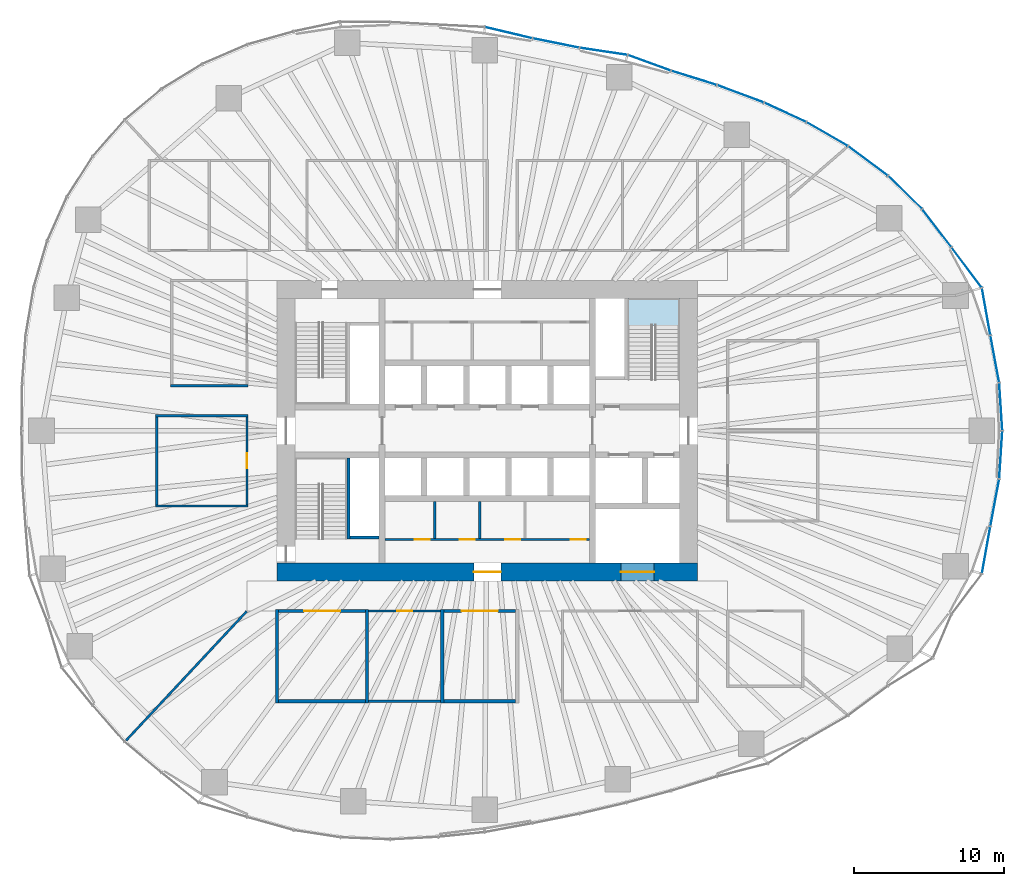
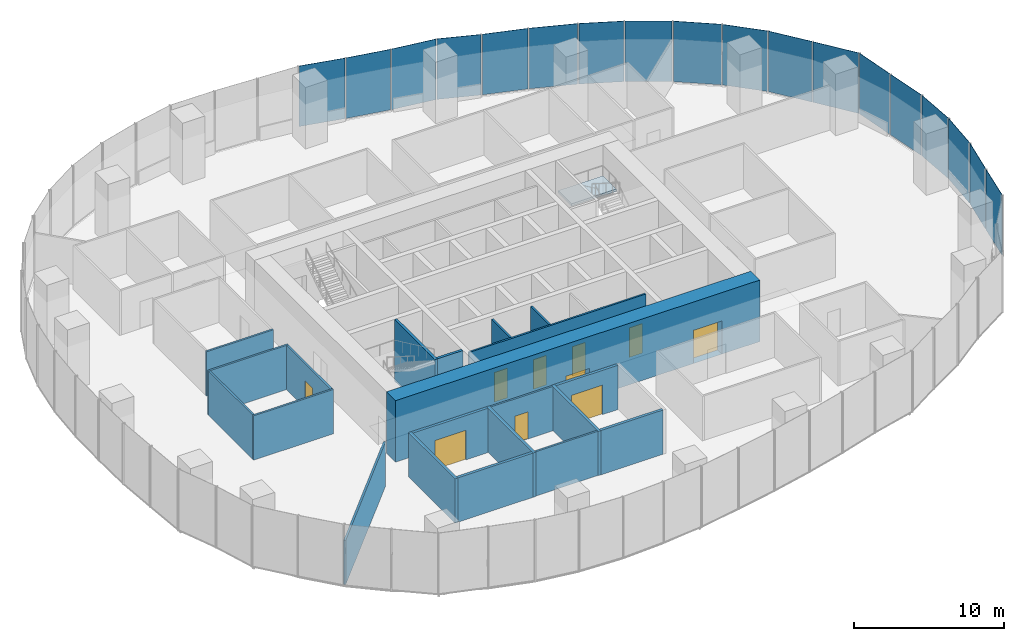
# One storey, part 9 of 19: 21 walls, 18 plates, 10 doors, 1 slab, 10 openings, 7 elements without a shape of their own.
"""IFC4 building model written with IfcOpenShell, lengths in metres."""

from ifc_helpers import new_model, si_unit, direction, frame, frame_2d, origin, origin_2d, place, context, subcontext, project, spatial, polyline, rectangle, outline, extrude, material, layer, layer_set, type_object, element, fill, aggregate, save


model = new_model("IFC4")

# Units and contexts
model_context = context("Model", 3, precision=1e-05, world=origin(), true_north=direction((0.0, 1.0)))
body_context = subcontext(model_context, "Body", "Model", "MODEL_VIEW")
ifc_project = project(units=[si_unit("LENGTHUNIT", "METRE"), si_unit("AREAUNIT", "SQUARE_METRE"), si_unit("VOLUMEUNIT", "CUBIC_METRE"), si_unit("PLANEANGLEUNIT", "RADIAN"), si_unit("MASSUNIT", "GRAM", prefix="KILO")], contexts=[model_context])

# Site, building, storey
site_placement = place(None, origin())
site = spatial("IfcSite", under=ifc_project, at=site_placement, CompositionType="ELEMENT")
building_placement = place(site_placement, origin())
building = spatial("IfcBuilding", under=site, at=building_placement, Name="Ghaith Harvest Tower", CompositionType="ELEMENT")
storey_placement = place(building_placement, frame((0.0, 0.0, 75.0)))
storey = spatial("IfcBuildingStorey", under=building, at=storey_placement, Name="L15", CompositionType="ELEMENT", Elevation=75.0)

# Curtain wall, plates
ifc_material_1 = material(Name="Black anodised aluminium and fritted glass", Category="aluminium")
curtain_wall_type = type_object("IfcCurtainWallType", Name="CW-F CURTAIN WALL", PredefinedType="NOTDEFINED", material=ifc_material_1)
curtain_wall_1_placement = place(storey_placement, origin())
curtain_wall_1 = element("IfcCurtainWall", 1, at=curtain_wall_1_placement, inside=storey, type_object=curtain_wall_type, Name="Curtain wall CW-F bay 01 L15", PredefinedType="NOTDEFINED")
ifc_material_2 = material(Name="Glass, high-transmission fritted double glazed unit", Category="glass")
ifc_layer_1 = layer(ifc_material_2, 0.028076171875)
ifc_layer_set_1 = layer_set([ifc_layer_1], Name="CW-F VISION PANEL")
plate_type = type_object("IfcPlateType", Name="CW-F VISION PANEL", PredefinedType="CURTAIN_PANEL", material=ifc_layer_set_1)
plate_1_placement = place(storey_placement, frame((34.181396484375, 1.602783203125, 0.080078125), z_axis=(0.0, 0.0, 1.0), x_axis=(-0.064445645786, 0.997921218704, 0.0)))
plate_1 = element("IfcPlate", 2, at=plate_1_placement, type_object=plate_type, Name="CW-F panel 1 bay 01 L15", PredefinedType="CURTAIN_PANEL", context=body_context, shape_type="SweptSolid", body=[
    extrude(rectangle(XDim=3.132080078125, YDim=0.028076171875, at=origin_2d()), origin(), (0.0, 0.0, 1.0), 4.919921875),
])
plate_2_placement = place(storey_placement, frame((33.78369140625, 4.78076171875, 0.080078125), z_axis=(0.0, 0.0, 1.0), x_axis=(-0.183569249502, 0.983006780565, 0.0)))
plate_2 = element("IfcPlate", 3, at=plate_2_placement, type_object=plate_type, Name="CW-F panel 2 bay 01 L15", PredefinedType="CURTAIN_PANEL", context=body_context, shape_type="SweptSolid", body=[
    extrude(rectangle(XDim=3.12548828125, YDim=0.028076171875, at=origin_2d()), origin(), (0.0, 0.0, 1.0), 4.919921875),
])
plate_3_placement = place(storey_placement, frame((33.20654296875, 7.93603515625, 0.080078125), z_axis=(0.0, 0.0, 1.0), x_axis=(-0.176319663586, 0.984332960046, 0.0)))
plate_3 = element("IfcPlate", 4, at=plate_3_placement, type_object=plate_type, Name="CW-F panel 3 bay 01 L15", PredefinedType="CURTAIN_PANEL", context=body_context, shape_type="SweptSolid", body=[
    extrude(rectangle(XDim=3.129638671875, YDim=0.028076171875, at=origin_2d()), origin(), (0.0, 0.0, 1.0), 4.919921875),
])
aggregate(curtain_wall_1, [plate_1, plate_2, plate_3])

curtain_wall_2_placement = place(storey_placement, origin())
curtain_wall_2 = element("IfcCurtainWall", 5, at=curtain_wall_2_placement, inside=storey, type_object=curtain_wall_type, Name="Curtain wall CW-F bay 02 L15", PredefinedType="NOTDEFINED")
plate_4_placement = place(storey_placement, frame((31.91015625, 10.865234375, 0.080078125), z_axis=(0.0, 0.0, 1.0), x_axis=(-0.600454091192, 0.799659230154, 0.0)))
plate_4 = element("IfcPlate", 6, at=plate_4_placement, type_object=plate_type, Name="CW-F panel 1 bay 02 L15", PredefinedType="CURTAIN_PANEL", context=body_context, shape_type="SweptSolid", body=[
    extrude(rectangle(XDim=3.295654296875, YDim=0.028076171875, at=origin_2d()), origin(), (0.0, 0.0, 1.0), 4.919921875),
])
plate_5_placement = place(storey_placement, frame((29.921875, 13.4892578125, 0.080078125), z_axis=(0.0, 0.0, 1.0), x_axis=(-0.607611877494, 0.794234100457, 0.0)))
plate_5 = element("IfcPlate", 7, at=plate_5_placement, type_object=plate_type, Name="CW-F panel 2 bay 02 L15", PredefinedType="CURTAIN_PANEL", context=body_context, shape_type="SweptSolid", body=[
    extrude(rectangle(XDim=3.128662109375, YDim=0.028076171875, at=origin_2d()), origin(), (0.0, 0.0, 1.0), 4.919921875),
])
plate_6_placement = place(storey_placement, frame((27.810546875, 15.869384765625, 0.080078125), z_axis=(0.0, 0.0, 1.0), x_axis=(-0.716691335472, 0.69739051446, 0.0)))
plate_6 = element("IfcPlate", 8, at=plate_6_placement, type_object=plate_type, Name="CW-F panel 3 bay 02 L15", PredefinedType="CURTAIN_PANEL", context=body_context, shape_type="SweptSolid", body=[
    extrude(rectangle(XDim=3.092041015625, YDim=0.028076171875, at=origin_2d()), origin(), (0.0, 0.0, 1.0), 4.919921875),
])
aggregate(curtain_wall_2, [plate_4, plate_5, plate_6])

curtain_wall_3_placement = place(storey_placement, origin())
curtain_wall_3 = element("IfcCurtainWall", 9, at=curtain_wall_3_placement, inside=storey, type_object=curtain_wall_type, Name="Curtain wall CW-F bay 03 L15", PredefinedType="NOTDEFINED")
plate_7_placement = place(storey_placement, frame((25.34619140625, 17.96142578125, 0.080078125), z_axis=(0.0, 0.0, 1.0), x_axis=(-0.802866788578, 0.596158468697, 0.0)))
plate_7 = element("IfcPlate", 10, at=plate_7_placement, type_object=plate_type, Name="CW-F panel 1 bay 03 L15", PredefinedType="CURTAIN_PANEL", context=body_context, shape_type="SweptSolid", body=[
    extrude(rectangle(XDim=3.2275390625, YDim=0.028076171875, at=origin_2d()), origin(), (0.0, 0.0, 1.0), 4.919921875),
])
plate_8_placement = place(storey_placement, frame((22.626953125, 19.750244140625, 0.080078125), z_axis=(0.0, 0.0, 1.0), x_axis=(-0.866159208358, 0.499768172033, 0.0)))
plate_8 = element("IfcPlate", 11, at=plate_8_placement, type_object=plate_type, Name="CW-F panel 2 bay 03 L15", PredefinedType="CURTAIN_PANEL", context=body_context, shape_type="SweptSolid", body=[
    extrude(rectangle(XDim=3.1328125, YDim=0.028076171875, at=origin_2d()), origin(), (0.0, 0.0, 1.0), 4.919921875),
])
plate_9_placement = place(storey_placement, frame((19.8291015625, 21.19970703125, 0.080078125), z_axis=(0.0, 0.0, 1.0), x_axis=(-0.908529586897, 0.417820523351, 0.0)))
plate_9 = element("IfcPlate", 12, at=plate_9_placement, type_object=plate_type, Name="CW-F panel 3 bay 03 L15", PredefinedType="CURTAIN_PANEL", context=body_context, shape_type="SweptSolid", body=[
    extrude(rectangle(XDim=3.01611328125, YDim=0.028076171875, at=origin_2d()), origin(), (0.0, 0.0, 1.0), 4.919921875),
])
aggregate(curtain_wall_3, [plate_7, plate_8, plate_9])

curtain_wall_4_placement = place(storey_placement, origin())
curtain_wall_4 = element("IfcCurtainWall", 13, at=curtain_wall_4_placement, inside=storey, type_object=curtain_wall_type, Name="Curtain wall CW-F bay 04 L15", PredefinedType="NOTDEFINED")
plate_10_placement = place(storey_placement, frame((16.85498046875, 22.431396484375, 0.080078125), z_axis=(0.0, 0.0, 1.0), x_axis=(-0.936926487964, 0.349526474178, 0.0)))
plate_10 = element("IfcPlate", 14, at=plate_10_placement, type_object=plate_type, Name="CW-F panel 1 bay 04 L15", PredefinedType="CURTAIN_PANEL", context=body_context, shape_type="SweptSolid", body=[
    extrude(rectangle(XDim=3.26611328125, YDim=0.028076171875, at=origin_2d()), origin(), (0.0, 0.0, 1.0), 4.919921875),
])
plate_11_placement = place(storey_placement, frame((13.760986328125, 23.490234375, 0.080078125), z_axis=(0.0, 0.0, 1.0), x_axis=(-0.954988265421, 0.296643578911, 0.0)))
plate_11 = element("IfcPlate", 15, at=plate_11_placement, type_object=plate_type, Name="CW-F panel 2 bay 04 L15", PredefinedType="CURTAIN_PANEL", context=body_context, shape_type="SweptSolid", body=[
    extrude(rectangle(XDim=3.1171875, YDim=0.028076171875, at=origin_2d()), origin(), (0.0, 0.0, 1.0), 4.919921875),
])
plate_12_placement = place(storey_placement, frame((10.793212890625, 24.490234375, 0.080078125), z_axis=(0.0, 0.0, 1.0), x_axis=(-0.939438435482, 0.342717705902, 0.0)))
plate_12 = element("IfcPlate", 16, at=plate_12_placement, type_object=plate_type, Name="CW-F panel 3 bay 04 L15", PredefinedType="CURTAIN_PANEL", context=body_context, shape_type="SweptSolid", body=[
    extrude(rectangle(XDim=2.98828125, YDim=0.028076171875, at=origin_2d()), origin(), (0.0, 0.0, 1.0), 4.919921875),
])
aggregate(curtain_wall_4, [plate_10, plate_11, plate_12])

curtain_wall_5_placement = place(storey_placement, origin())
curtain_wall_5 = element("IfcCurtainWall", 17, at=curtain_wall_5_placement, inside=storey, type_object=curtain_wall_type, Name="Curtain wall CW-F bay 05 L15", PredefinedType="NOTDEFINED")
plate_13_placement = place(storey_placement, frame((7.744384765625, 25.255615234375, 0.080078125), z_axis=(0.0, 0.0, 1.0), x_axis=(-0.989074249382, 0.147418211935, 0.0)))
plate_13 = element("IfcPlate", 18, at=plate_13_placement, type_object=plate_type, Name="CW-F panel 1 bay 05 L15", PredefinedType="CURTAIN_PANEL", context=body_context, shape_type="SweptSolid", body=[
    extrude(rectangle(XDim=3.17041015625, YDim=0.028076171875, at=origin_2d()), origin(), (0.0, 0.0, 1.0), 4.919921875),
])
plate_14_placement = place(storey_placement, frame((4.5732421875, 25.809326171875, 0.080078125), z_axis=(0.0, 0.0, 1.0), x_axis=(-0.980432348069, 0.196856320344, 0.0)))
plate_14 = element("IfcPlate", 19, at=plate_14_placement, type_object=plate_type, Name="CW-F panel 2 bay 05 L15", PredefinedType="CURTAIN_PANEL", context=body_context, shape_type="SweptSolid", body=[
    extrude(rectangle(XDim=3.1103515625, YDim=0.028076171875, at=origin_2d()), origin(), (0.0, 0.0, 1.0), 4.919921875),
])
plate_15_placement = place(storey_placement, frame((1.41259765625, 26.500244140625, 0.080078125), z_axis=(0.0, 0.0, 1.0), x_axis=(-0.97324595378, 0.229765779545, 0.0)))
plate_15 = element("IfcPlate", 20, at=plate_15_placement, type_object=plate_type, Name="CW-F panel 3 bay 05 L15", PredefinedType="CURTAIN_PANEL", context=body_context, shape_type="SweptSolid", body=[
    extrude(rectangle(XDim=3.200927734375, YDim=0.028076171875, at=origin_2d()), origin(), (0.0, 0.0, 1.0), 4.919921875),
])
aggregate(curtain_wall_5, [plate_13, plate_14, plate_15])

curtain_wall_6_placement = place(storey_placement, origin())
curtain_wall_6 = element("IfcCurtainWall", 21, at=curtain_wall_6_placement, inside=storey, type_object=curtain_wall_type, Name="Curtain wall CW-F bay 20 L15", PredefinedType="NOTDEFINED")
plate_16_placement = place(storey_placement, frame((33.20654296875, -7.93603515625, 0.080078125), z_axis=(0.0, 0.0, 1.0), x_axis=(0.176319663878, 0.984332959994, 0.0)))
plate_16 = element("IfcPlate", 22, at=plate_16_placement, type_object=plate_type, Name="CW-F panel 1 bay 20 L15", PredefinedType="CURTAIN_PANEL", context=body_context, shape_type="SweptSolid", body=[
    extrude(rectangle(XDim=3.129638671875, YDim=0.028076171875, at=origin_2d()), origin(), (0.0, 0.0, 1.0), 4.919921875),
])
plate_17_placement = place(storey_placement, frame((33.78369140625, -4.78076171875, 0.080078125), z_axis=(0.0, 0.0, 1.0), x_axis=(0.183569249777, 0.983006780514, 0.0)))
plate_17 = element("IfcPlate", 23, at=plate_17_placement, type_object=plate_type, Name="CW-F panel 2 bay 20 L15", PredefinedType="CURTAIN_PANEL", context=body_context, shape_type="SweptSolid", body=[
    extrude(rectangle(XDim=3.12548828125, YDim=0.028076171875, at=origin_2d()), origin(), (0.0, 0.0, 1.0), 4.919921875),
])
plate_18_placement = place(storey_placement, frame((34.181396484375, -1.602783203125, 0.080078125), z_axis=(0.0, 0.0, 1.0), x_axis=(0.064445645891, 0.997921218697, 0.0)))
plate_18 = element("IfcPlate", 24, at=plate_18_placement, type_object=plate_type, Name="CW-F panel 3 bay 20 L15", PredefinedType="CURTAIN_PANEL", context=body_context, shape_type="SweptSolid", body=[
    extrude(rectangle(XDim=3.132080078125, YDim=0.028076171875, at=origin_2d()), origin(), (0.0, 0.0, 1.0), 4.919921875),
])
aggregate(curtain_wall_6, [plate_16, plate_17, plate_18])

# Stair, slab
ifc_material_3 = material(Name="Concrete C40/50, precast", Category="concrete")
stair_type = type_object("IfcStairType", Name="CORE STAIR 28R", PredefinedType="HALF_TURN_STAIR", material=ifc_material_3)
stair_placement = place(storey_placement, origin())
stair = element("IfcStair", 25, at=stair_placement, inside=storey, type_object=stair_type, Name="Stair ST2 L15", PredefinedType="HALF_TURN_STAIR")
ifc_material_4 = material(Name="Concrete C40/50, precast", Category="concrete")
ifc_layer_2 = layer(ifc_material_4, 0.179931640625)
ifc_layer_set_2 = layer_set([ifc_layer_2], Name="STAIR LANDING 180")
slab_type = type_object("IfcSlabType", Name="STAIR LANDING 180", PredefinedType="LANDING", material=ifc_layer_set_2)
slab_placement = place(storey_placement, frame((0.0, 0.0, 2.320068359375)))
slab = element("IfcSlab", 26, at=slab_placement, type_object=slab_type, Name="ST2 landing 1", PredefinedType="LANDING", context=body_context, shape_type="SweptSolid", body=[
    extrude(outline(polyline([(12.800048828125, 7.02001953125), (12.800048828125, 8.800048828125), (9.35009765625, 8.800048828125), (9.35009765625, 7.02001953125), (12.800048828125, 7.02001953125)])), origin(), (0.0, 0.0, 1.0), 0.179931640625),
])
aggregate(stair, [slab])

# Walls
ifc_material_5 = material(Name="Concrete blockwork, 1-hour", Category="masonry")
ifc_layer_3 = layer(ifc_material_5, 0.215087890625)
ifc_layer_set_3 = layer_set([ifc_layer_3], Name="BLOCKWORK WALL 215")
wall_type_1 = type_object("IfcWallType", Name="BLOCKWORK WALL 215", PredefinedType="PARTITIONING", material=ifc_layer_set_3)
for number, where, z_axis, x_axis, name in (
    (27, (-14.0, -11.892578125, 0.0), (0.0, 0.0, 1.0), (0.0, -1.0, 0.0), "Partition L15 row S2 cross wall 1"),
    (28, (-8.0, -11.892578125, 0.0), (0.0, 0.0, 1.0), (0.0, -1.0, 0.0), "Partition L15 row S2 cross wall 2"),
    (29, (-3.0, -11.892578125, 0.0), (0.0, 0.0, 1.0), (0.0, -1.0, 0.0), "Partition L15 row S2 cross wall 3"),
):
    element("IfcWall", number, at=place(storey_placement, frame(where, z_axis=z_axis, x_axis=x_axis)), inside=storey, type_object=wall_type_1, Name=name, PredefinedType="PARTITIONING", context=body_context, shape_type="SweptSolid", body=[
        extrude(rectangle(XDim=6.21484375, YDim=0.215087890625, at=frame_2d((3.107421875, 0.0))), origin(), (0.0, 0.0, 1.0), 3.60009765625),
    ])

# Wall, opening, door
wall_1_placement = place(storey_placement, frame((-13.892578125, -12.0, 0.0), z_axis=(0.0, 0.0, 1.0), x_axis=(1.0, 0.0, 0.0)))
wall_1 = element("IfcWall", 30, at=wall_1_placement, inside=storey, type_object=wall_type_1, Name="Partition L15-03", PredefinedType="PARTITIONING", context=body_context, shape_type="SweptSolid", body=[
    extrude(rectangle(XDim=5.78515625, YDim=0.215087890625, at=frame_2d((2.892578125, 0.0))), origin(), (0.0, 0.0, 1.0), 3.60009765625),
])
opening_1_placement = place(wall_1_placement, frame((1.6923828125, 0.0, 0.0)))
opening_1 = element("IfcOpeningElement", 31, at=opening_1_placement, cuts=wall_1, Name="Opening 15-027", PredefinedType="OPENING", context=body_context, shape_type="SweptSolid", body=[
    extrude(rectangle(XDim=2.39990234375, YDim=2.39990234375, at=frame_2d((1.199951171875, 1.199951171875))), frame((0.0, 0.11767578125, 0.0), z_axis=(0.0, -1.0, 0.0), x_axis=(1.0, 0.0, 0.0)), (0.0, 0.0, 1.0), 0.235107421875),
])
ifc_material_6 = material(Name="Timber door", Category="wood")
door_type_1 = type_object("IfcDoorType", Name="D10 PLANT PAIR 2400x2400", OperationType="DOUBLE_DOOR_SINGLE_SWING", PredefinedType="DOOR", material=ifc_material_6)
door_1_placement = place(opening_1_placement, origin())
door_1 = element("IfcDoor", 32, at=door_1_placement, inside=storey, type_object=door_type_1, Name="Nutrient tank room door", OperationType="DOUBLE_DOOR_SINGLE_SWING", OverallHeight=2.39990234375, OverallWidth=2.39990234375, PredefinedType="DOOR", context=body_context, shape_type="SweptSolid", body=[
    extrude(rectangle(XDim=2.39990234375, YDim=2.39990234375, at=frame_2d((1.199951171875, 1.199951171875))), frame((0.0, 0.02490234375, 0.0), z_axis=(0.0, -1.0, 0.0), x_axis=(1.0, 0.0, 0.0)), (0.0, 0.0, 1.0), 0.050048828125),
])
fill(opening_1, door_1)

# Wall
wall_2_placement = place(storey_placement, frame((-13.892578125, -18.0, 0.0), z_axis=(0.0, 0.0, 1.0), x_axis=(1.0, 0.0, 0.0)))
element("IfcWall", 33, at=wall_2_placement, inside=storey, type_object=wall_type_1, Name="Partition L15-03", PredefinedType="PARTITIONING", context=body_context, shape_type="SweptSolid", body=[
    extrude(rectangle(XDim=5.78515625, YDim=0.215087890625, at=frame_2d((2.892578125, 0.0))), origin(), (0.0, 0.0, 1.0), 3.60009765625),
])

# Wall, opening, door
wall_3_placement = place(storey_placement, frame((-2.892578125, -12.0, 0.0), z_axis=(0.0, 0.0, 1.0), x_axis=(1.0, 0.0, 0.0)))
wall_3 = element("IfcWall", 34, at=wall_3_placement, inside=storey, type_object=wall_type_1, Name="Partition L15-05", PredefinedType="PARTITIONING", context=body_context, shape_type="SweptSolid", body=[
    extrude(rectangle(XDim=4.78515625, YDim=0.215087890625, at=frame_2d((2.392578125, 0.0))), origin(), (0.0, 0.0, 1.0), 3.60009765625),
])
opening_2_placement = place(wall_3_placement, frame((1.1923828125, 0.0, 0.0)))
opening_2 = element("IfcOpeningElement", 35, at=opening_2_placement, cuts=wall_3, Name="Opening 15-029", PredefinedType="OPENING", context=body_context, shape_type="SweptSolid", body=[
    extrude(rectangle(XDim=2.39990234375, YDim=2.39990234375, at=frame_2d((1.199951171875, 1.199951171875))), frame((0.0, 0.11767578125, 0.0), z_axis=(0.0, -1.0, 0.0), x_axis=(1.0, 0.0, 0.0)), (0.0, 0.0, 1.0), 0.235107421875),
])
door_2_placement = place(opening_2_placement, origin())
door_2 = element("IfcDoor", 36, at=door_2_placement, inside=storey, type_object=door_type_1, Name="Pump room door", OperationType="DOUBLE_DOOR_SINGLE_SWING", OverallHeight=2.39990234375, OverallWidth=2.39990234375, PredefinedType="DOOR", context=body_context, shape_type="SweptSolid", body=[
    extrude(rectangle(XDim=2.39990234375, YDim=2.39990234375, at=frame_2d((1.199951171875, 1.199951171875))), frame((0.0, 0.02490234375, 0.0), z_axis=(0.0, -1.0, 0.0), x_axis=(1.0, 0.0, 0.0)), (0.0, 0.0, 1.0), 0.050048828125),
])
fill(opening_2, door_2)

# Wall
wall_4_placement = place(storey_placement, frame((-2.892578125, -18.0, 0.0), z_axis=(0.0, 0.0, 1.0), x_axis=(1.0, 0.0, 0.0)))
element("IfcWall", 37, at=wall_4_placement, inside=storey, type_object=wall_type_1, Name="Partition L15-05", PredefinedType="PARTITIONING", context=body_context, shape_type="SweptSolid", body=[
    extrude(rectangle(XDim=4.78515625, YDim=0.215087890625, at=frame_2d((2.392578125, 0.0))), origin(), (0.0, 0.0, 1.0), 3.60009765625),
])

# Wall, openings, doors
ifc_material_7 = material(Name="Concrete blockwork, fair-faced", Category="masonry")
ifc_layer_4 = layer(ifc_material_7, 0.139892578125)
ifc_layer_set_4 = layer_set([ifc_layer_4], Name="CORE PARTITION 140")
wall_type_2 = type_object("IfcWallType", Name="CORE PARTITION 140", PredefinedType="PARTITIONING", material=ifc_layer_set_4)
wall_5_placement = place(storey_placement, frame((-6.800048828125, -7.22998046875, 0.0), z_axis=(0.0, 0.0, 1.0), x_axis=(1.0, 0.0, 0.0)))
wall_5 = element("IfcWall", 38, at=wall_5_placement, inside=storey, type_object=wall_type_2, Name="Core partition L15", PredefinedType="PARTITIONING", context=body_context, shape_type="SweptSolid", body=[
    extrude(rectangle(XDim=13.60009765625, YDim=0.139892578125, at=frame_2d((6.800048828125, 0.0))), origin(), (0.0, 0.0, 1.0), 4.75),
])
opening_3_placement = place(wall_5_placement, frame((1.97998046875, 0.0, 0.0)))
opening_3 = element("IfcOpeningElement", 39, at=opening_3_placement, cuts=wall_5, Name="Opening 15-012", PredefinedType="OPENING", context=body_context, shape_type="SweptSolid", body=[
    extrude(rectangle(XDim=1.0, YDim=2.39990234375, at=frame_2d((0.5, 1.199951171875))), frame((0.0, 0.080078125, 0.0), z_axis=(0.0, -1.0, 0.0), x_axis=(1.0, 0.0, 0.0)), (0.0, 0.0, 1.0), 0.159912109375),
])
opening_4_placement = place(wall_5_placement, frame((4.97998046875, 0.0, 0.0)))
opening_4 = element("IfcOpeningElement", 40, at=opening_4_placement, cuts=wall_5, Name="Opening 15-013", PredefinedType="OPENING", context=body_context, shape_type="SweptSolid", body=[
    extrude(rectangle(XDim=1.0, YDim=2.39990234375, at=frame_2d((0.5, 1.199951171875))), frame((0.0, 0.080078125, 0.0), z_axis=(0.0, -1.0, 0.0), x_axis=(1.0, 0.0, 0.0)), (0.0, 0.0, 1.0), 0.159912109375),
])
opening_5_placement = place(wall_5_placement, frame((7.97998046875, 0.0, 0.0)))
opening_5 = element("IfcOpeningElement", 41, at=opening_5_placement, cuts=wall_5, Name="Opening 15-014", PredefinedType="OPENING", context=body_context, shape_type="SweptSolid", body=[
    extrude(rectangle(XDim=1.0, YDim=2.39990234375, at=frame_2d((0.5, 1.199951171875))), frame((0.0, 0.080078125, 0.0), z_axis=(0.0, -1.0, 0.0), x_axis=(1.0, 0.0, 0.0)), (0.0, 0.0, 1.0), 0.159912109375),
])
opening_6_placement = place(wall_5_placement, frame((12.35009765625, 0.0, 0.0)))
opening_6 = element("IfcOpeningElement", 42, at=opening_6_placement, cuts=wall_5, Name="Opening 15-015", PredefinedType="OPENING", context=body_context, shape_type="SweptSolid", body=[
    extrude(rectangle(XDim=1.0, YDim=2.39990234375, at=frame_2d((0.5, 1.199951171875))), frame((0.0, 0.080078125, 0.0), z_axis=(0.0, -1.0, 0.0), x_axis=(1.0, 0.0, 0.0)), (0.0, 0.0, 1.0), 0.159912109375),
])
ifc_material_8 = material(Name="Steel fire door", Category="steel")
door_type_2 = type_object("IfcDoorType", Name="D3 FD90 1000x2400", OperationType="SINGLE_SWING_LEFT", PredefinedType="DOOR", material=ifc_material_8)
door_3_placement = place(opening_3_placement, origin())
door_3 = element("IfcDoor", 43, at=door_3_placement, inside=storey, type_object=door_type_2, Name="Electrical room door", OperationType="SINGLE_SWING_LEFT", OverallHeight=2.39990234375, OverallWidth=1.0, PredefinedType="DOOR", context=body_context, shape_type="SweptSolid", body=[
    extrude(rectangle(XDim=1.0, YDim=2.39990234375, at=frame_2d((0.5, 1.199951171875))), frame((0.0, 0.02490234375, 0.0), z_axis=(0.0, -1.0, 0.0), x_axis=(1.0, 0.0, 0.0)), (0.0, 0.0, 1.0), 0.050048828125),
])
fill(opening_3, door_3)
door_4_placement = place(opening_4_placement, origin())
door_4 = element("IfcDoor", 44, at=door_4_placement, inside=storey, type_object=door_type_2, Name="IT equipment room door", OperationType="SINGLE_SWING_LEFT", OverallHeight=2.39990234375, OverallWidth=1.0, PredefinedType="DOOR", context=body_context, shape_type="SweptSolid", body=[
    extrude(rectangle(XDim=1.0, YDim=2.39990234375, at=frame_2d((0.5, 1.199951171875))), frame((0.0, 0.02490234375, 0.0), z_axis=(0.0, -1.0, 0.0), x_axis=(1.0, 0.0, 0.0)), (0.0, 0.0, 1.0), 0.050048828125),
])
fill(opening_4, door_4)
door_5_placement = place(opening_5_placement, origin())
door_5 = element("IfcDoor", 45, at=door_5_placement, inside=storey, type_object=door_type_2, Name="Tea point door", OperationType="SINGLE_SWING_RIGHT", OverallHeight=2.39990234375, OverallWidth=1.0, PredefinedType="DOOR", context=body_context, shape_type="SweptSolid", body=[
    extrude(rectangle(XDim=1.0, YDim=2.39990234375, at=frame_2d((0.5, 1.199951171875))), frame((0.0, 0.02490234375, 0.0), z_axis=(0.0, -1.0, 0.0), x_axis=(1.0, 0.0, 0.0)), (0.0, 0.0, 1.0), 0.050048828125),
])
fill(opening_5, door_5)
door_6_placement = place(opening_6_placement, origin())
door_6 = element("IfcDoor", 46, at=door_6_placement, inside=storey, type_object=door_type_2, Name="Riser room door", OperationType="SINGLE_SWING_RIGHT", OverallHeight=2.39990234375, OverallWidth=1.0, PredefinedType="DOOR", context=body_context, shape_type="SweptSolid", body=[
    extrude(rectangle(XDim=1.0, YDim=2.39990234375, at=frame_2d((0.5, 1.199951171875))), frame((0.0, 0.02490234375, 0.0), z_axis=(0.0, -1.0, 0.0), x_axis=(1.0, 0.0, 0.0)), (0.0, 0.0, 1.0), 0.050048828125),
])
fill(opening_6, door_6)

# Walls
for number, where, z_axis, x_axis, name in (
    (47, (-3.5, -4.699951171875, 0.0), (0.0, 0.0, 1.0), (0.0, -1.0, 0.0), "Core partition L15"),
    (48, (-0.5, -4.699951171875, 0.0), (0.0, 0.0, 1.0), (0.0, -1.0, 0.0), "Core partition L15"),
):
    element("IfcWall", number, at=place(storey_placement, frame(where, z_axis=z_axis, x_axis=x_axis)), inside=storey, type_object=wall_type_2, Name=name, PredefinedType="PARTITIONING", context=body_context, shape_type="SweptSolid", body=[
        extrude(rectangle(XDim=2.4599609375, YDim=0.139892578125, at=frame_2d((1.22998046875, 0.0))), origin(), (0.0, 0.0, 1.0), 4.75),
    ])

# Wall, openings, doors
ifc_material_9 = material(Name="Concrete C70/85", Category="concrete")
ifc_layer_5 = layer(ifc_material_9, 1.199951171875)
ifc_layer_set_5 = layer_set([ifc_layer_5], Name="CORE WALL CW1200")
wall_type_3 = type_object("IfcWallType", Name="CORE WALL CW1200", PredefinedType="SHEAR", material=ifc_layer_set_5)
wall_6_placement = place(storey_placement, frame((-14.0, -9.39990234375, 0.0), z_axis=(0.0, 0.0, 1.0), x_axis=(1.0, 0.0, 0.0)))
wall_6 = element("IfcWall", 49, at=wall_6_placement, inside=storey, type_object=wall_type_3, Name="Core wall S L15", PredefinedType="SHEAR", context=body_context, shape_type="SweptSolid", body=[
    extrude(rectangle(XDim=28.0, YDim=1.199951171875, at=frame_2d((14.0, 0.0))), origin(), (0.0, 0.0, 1.0), 5.0),
])
opening_7_placement = place(wall_6_placement, frame((13.10009765625, 0.0, 0.0)))
opening_7 = element("IfcOpeningElement", 50, at=opening_7_placement, cuts=wall_6, Name="Opening 15-017", PredefinedType="OPENING", context=body_context, shape_type="SweptSolid", body=[
    extrude(rectangle(XDim=1.800048828125, YDim=2.39990234375, at=frame_2d((0.89990234375, 1.199951171875))), frame((0.0, 0.60986328125, 0.0), z_axis=(0.0, -1.0, 0.0), x_axis=(1.0, 0.0, 0.0)), (0.0, 0.0, 1.0), 1.219970703125),
])
opening_8_placement = place(wall_6_placement, frame((22.89990234375, 0.0, 0.0)))
opening_8 = element("IfcOpeningElement", 51, at=opening_8_placement, cuts=wall_6, Name="Opening 15-024", PredefinedType="OPENING", context=body_context, shape_type="SweptSolid", body=[
    extrude(rectangle(XDim=2.199951171875, YDim=2.699951171875, at=frame_2d((1.10009765625, 1.35009765625))), frame((0.0, 0.60986328125, 0.0), z_axis=(0.0, -1.0, 0.0), x_axis=(1.0, 0.0, 0.0)), (0.0, 0.0, 1.0), 1.219970703125),
])
ifc_material_10 = material(Name="Steel fire door", Category="steel")
door_type_3 = type_object("IfcDoorType", Name="D4 FD90 PAIR 1800x2400", OperationType="DOUBLE_DOOR_SINGLE_SWING", PredefinedType="DOOR", material=ifc_material_10)
door_7_placement = place(opening_7_placement, origin())
door_7 = element("IfcDoor", 52, at=door_7_placement, inside=storey, type_object=door_type_3, Name="Core service corridor doors", OperationType="DOUBLE_DOOR_SINGLE_SWING", OverallHeight=2.39990234375, OverallWidth=1.800048828125, PredefinedType="DOOR", context=body_context, shape_type="SweptSolid", body=[
    extrude(rectangle(XDim=1.800048828125, YDim=2.39990234375, at=frame_2d((0.89990234375, 1.199951171875))), frame((0.0, 0.02490234375, 0.0), z_axis=(0.0, -1.0, 0.0), x_axis=(1.0, 0.0, 0.0)), (0.0, 0.0, 1.0), 0.050048828125),
])
fill(opening_7, door_7)
ifc_material_11 = material(Name="Steel fire door", Category="steel")
door_type_4 = type_object("IfcDoorType", Name="LD3 LANDING 2200x2700", OperationType="DOUBLE_DOOR_SLIDING", PredefinedType="DOOR", material=ifc_material_11)
door_8_placement = place(opening_8_placement, origin())
door_8 = element("IfcDoor", 53, at=door_8_placement, inside=storey, type_object=door_type_4, Name="Landing door, goods lift GL1", OperationType="DOUBLE_DOOR_SLIDING", OverallHeight=2.699951171875, OverallWidth=2.199951171875, PredefinedType="DOOR", context=body_context, shape_type="SweptSolid", body=[
    extrude(rectangle(XDim=2.199951171875, YDim=2.699951171875, at=frame_2d((1.10009765625, 1.35009765625))), frame((0.0, 0.02490234375, 0.0), z_axis=(0.0, -1.0, 0.0), x_axis=(1.0, 0.0, 0.0)), (0.0, 0.0, 1.0), 0.050048828125),
])
fill(opening_8, door_8)

# Wall, opening, door
ifc_material_12 = material(Name="Gypsum board on steel studs", Category="steel")
ifc_layer_6 = layer(ifc_material_12, 0.14990234375)
ifc_layer_set_6 = layer_set([ifc_layer_6], Name="PARTITION 150")
wall_type_4 = type_object("IfcWallType", Name="PARTITION 150", PredefinedType="PARTITIONING", material=ifc_layer_set_6)
wall_7_placement = place(storey_placement, frame((-7.892578125, -12.0, 0.0), z_axis=(0.0, 0.0, 1.0), x_axis=(1.0, 0.0, 0.0)))
wall_7 = element("IfcWall", 54, at=wall_7_placement, inside=storey, type_object=wall_type_4, Name="Partition L15-04", PredefinedType="PARTITIONING", context=body_context, shape_type="SweptSolid", body=[
    extrude(rectangle(XDim=4.78515625, YDim=0.14990234375, at=frame_2d((2.392578125, 0.0))), origin(), (0.0, 0.0, 1.0), 3.60009765625),
])
opening_9_placement = place(wall_7_placement, frame((1.892578125, 0.0, 0.0)))
opening_9 = element("IfcOpeningElement", 55, at=opening_9_placement, cuts=wall_7, Name="Opening 15-028", PredefinedType="OPENING", context=body_context, shape_type="SweptSolid", body=[
    extrude(rectangle(XDim=1.0, YDim=2.199951171875, at=frame_2d((0.5, 1.10009765625))), frame((0.0, 0.0849609375, 0.0), z_axis=(0.0, -1.0, 0.0), x_axis=(1.0, 0.0, 0.0)), (0.0, 0.0, 1.0), 0.169921875),
])
ifc_material_13 = material(Name="Timber door", Category="wood")
door_type_5 = type_object("IfcDoorType", Name="D1 SINGLE 1000x2200", OperationType="SINGLE_SWING_LEFT", PredefinedType="DOOR", material=ifc_material_13)
door_9_placement = place(opening_9_placement, origin())
door_9 = element("IfcDoor", 56, at=door_9_placement, inside=storey, type_object=door_type_5, Name="Pest control store door", OperationType="SINGLE_SWING_LEFT", OverallHeight=2.199951171875, OverallWidth=1.0, PredefinedType="DOOR", context=body_context, shape_type="SweptSolid", body=[
    extrude(rectangle(XDim=1.0, YDim=2.199951171875, at=frame_2d((0.5, 1.10009765625))), frame((0.0, 0.02490234375, 0.0), z_axis=(0.0, -1.0, 0.0), x_axis=(1.0, 0.0, 0.0)), (0.0, 0.0, 1.0), 0.050048828125),
])
fill(opening_9, door_9)

# Walls
wall_8_placement = place(storey_placement, frame((-7.892578125, -18.0, 0.0), z_axis=(0.0, 0.0, 1.0), x_axis=(1.0, 0.0, 0.0)))
element("IfcWall", 57, at=wall_8_placement, inside=storey, type_object=wall_type_4, Name="Partition L15-04", PredefinedType="PARTITIONING", context=body_context, shape_type="SweptSolid", body=[
    extrude(rectangle(XDim=4.78515625, YDim=0.14990234375, at=frame_2d((2.392578125, 0.0))), origin(), (0.0, 0.0, 1.0), 3.60009765625),
])
for number, where, z_axis, x_axis, name in (
    (58, (-15.925048828125, -5.0, 0.0), (0.0, 0.0, 1.0), (-1.0, 0.0, 0.0), "Partition L15 row W4 cross wall 1"),
    (59, (-15.925048828125, 1.0, 0.0), (0.0, 0.0, 1.0), (-1.0, 0.0, 0.0), "Partition L15 row W4 cross wall 2"),
):
    element("IfcWall", number, at=place(storey_placement, frame(where, z_axis=z_axis, x_axis=x_axis)), inside=storey, type_object=wall_type_4, Name=name, PredefinedType="PARTITIONING", context=body_context, shape_type="SweptSolid", body=[
        extrude(rectangle(XDim=6.14990234375, YDim=0.14990234375, at=frame_2d((3.074951171875, 0.0))), origin(), (0.0, 0.0, 1.0), 3.60009765625),
    ])

# Wall, opening, door
wall_9_placement = place(storey_placement, frame((-16.0, -4.925048828125, 0.0), z_axis=(0.0, 0.0, 1.0), x_axis=(0.0, 1.0, 0.0)))
wall_9 = element("IfcWall", 60, at=wall_9_placement, inside=storey, type_object=wall_type_4, Name="Partition L15-07", PredefinedType="PARTITIONING", context=body_context, shape_type="SweptSolid", body=[
    extrude(rectangle(XDim=5.85009765625, YDim=0.14990234375, at=frame_2d((2.925048828125, 0.0))), origin(), (0.0, 0.0, 1.0), 3.60009765625),
])
opening_10_placement = place(wall_9_placement, frame((2.425048828125, 0.0, 0.0)))
opening_10 = element("IfcOpeningElement", 61, at=opening_10_placement, cuts=wall_9, Name="Opening 15-031", PredefinedType="OPENING", context=body_context, shape_type="SweptSolid", body=[
    extrude(rectangle(XDim=1.0, YDim=2.199951171875, at=frame_2d((0.5, 1.10009765625))), frame((0.0, 0.0849609375, 0.0), z_axis=(0.0, -1.0, 0.0), x_axis=(1.0, 0.0, 0.0)), (0.0, 0.0, 1.0), 0.169921875),
])
door_10_placement = place(opening_10_placement, origin())
door_10 = element("IfcDoor", 62, at=door_10_placement, inside=storey, type_object=door_type_5, Name="Staff room door", OperationType="SINGLE_SWING_LEFT", OverallHeight=2.199951171875, OverallWidth=1.0, PredefinedType="DOOR", context=body_context, shape_type="SweptSolid", body=[
    extrude(rectangle(XDim=1.0, YDim=2.199951171875, at=frame_2d((0.5, 1.10009765625))), frame((0.0, 0.02490234375, 0.0), z_axis=(0.0, -1.0, 0.0), x_axis=(1.0, 0.0, 0.0)), (0.0, 0.0, 1.0), 0.050048828125),
])
fill(opening_10, door_10)

# Walls
wall_10_placement = place(storey_placement, frame((-22.0, -4.925048828125, 0.0), z_axis=(0.0, 0.0, 1.0), x_axis=(0.0, 1.0, 0.0)))
element("IfcWall", 63, at=wall_10_placement, inside=storey, type_object=wall_type_4, Name="Partition L15-07", PredefinedType="PARTITIONING", context=body_context, shape_type="SweptSolid", body=[
    extrude(rectangle(XDim=5.85009765625, YDim=0.14990234375, at=frame_2d((2.925048828125, 0.0))), origin(), (0.0, 0.0, 1.0), 3.60009765625),
])
wall_11_placement = place(storey_placement, frame((-15.925048828125, 3.0, 0.0), z_axis=(0.0, 0.0, 1.0), x_axis=(-1.0, 0.0, 0.0)))
element("IfcWall", 64, at=wall_11_placement, inside=storey, type_object=wall_type_4, Name="Partition L15 row W9 cross wall 1", PredefinedType="PARTITIONING", context=body_context, shape_type="SweptSolid", body=[
    extrude(rectangle(XDim=5.14990234375, YDim=0.14990234375, at=frame_2d((2.574951171875, 0.0))), origin(), (0.0, 0.0, 1.0), 3.60009765625),
])
wall_12_placement = place(storey_placement, frame((-16.013671875, -12.0146484375, 0.0), z_axis=(0.0, 0.0, 1.0), x_axis=(-0.682522513656, -0.730864569091, 0.0)))
element("IfcWall", 65, at=wall_12_placement, inside=storey, type_object=wall_type_4, Name="Partition L15 zone division", PredefinedType="PARTITIONING", context=body_context, shape_type="SweptSolid", body=[
    extrude(rectangle(XDim=11.751953125, YDim=0.14990234375, at=frame_2d((5.8759765625, 0.0))), origin(), (0.0, 0.0, 1.0), 3.60009765625),
])
ifc_material_14 = material(Name="Concrete C40/50", Category="concrete")
ifc_layer_7 = layer(ifc_material_14, 0.199951171875)
ifc_layer_set_7 = layer_set([ifc_layer_7], Name="STAIR SPINE WALL RC200")
wall_type_5 = type_object("IfcWallType", Name="STAIR SPINE WALL RC200", PredefinedType="SOLIDWALL", material=ifc_layer_set_7)
wall_13_placement = place(storey_placement, frame((-9.25, -7.199951171875, 0.0), z_axis=(0.0, 0.0, 1.0), x_axis=(0.0, 1.0, 0.0)))
element("IfcWall", 66, at=wall_13_placement, inside=storey, type_object=wall_type_5, Name="Stair ST3 spine wall L15", PredefinedType="SOLIDWALL", context=body_context, shape_type="SweptSolid", body=[
    extrude(rectangle(XDim=5.39990234375, YDim=0.199951171875, at=frame_2d((2.699951171875, 0.0))), origin(), (0.0, 0.0, 1.0), 5.0),
])
wall_14_placement = place(storey_placement, frame((-9.14990234375, -7.10009765625, 0.0), z_axis=(0.0, 0.0, 1.0), x_axis=(1.0, 0.0, 0.0)))
element("IfcWall", 67, at=wall_14_placement, inside=storey, type_object=wall_type_5, Name="Stair ST3 spine wall return L15", PredefinedType="SOLIDWALL", context=body_context, shape_type="SweptSolid", body=[
    extrude(rectangle(XDim=1.949951171875, YDim=0.199951171875, at=frame_2d((0.97509765625, 0.0))), origin(), (0.0, 0.0, 1.0), 5.0),
])

save(model, "model.ifc")
